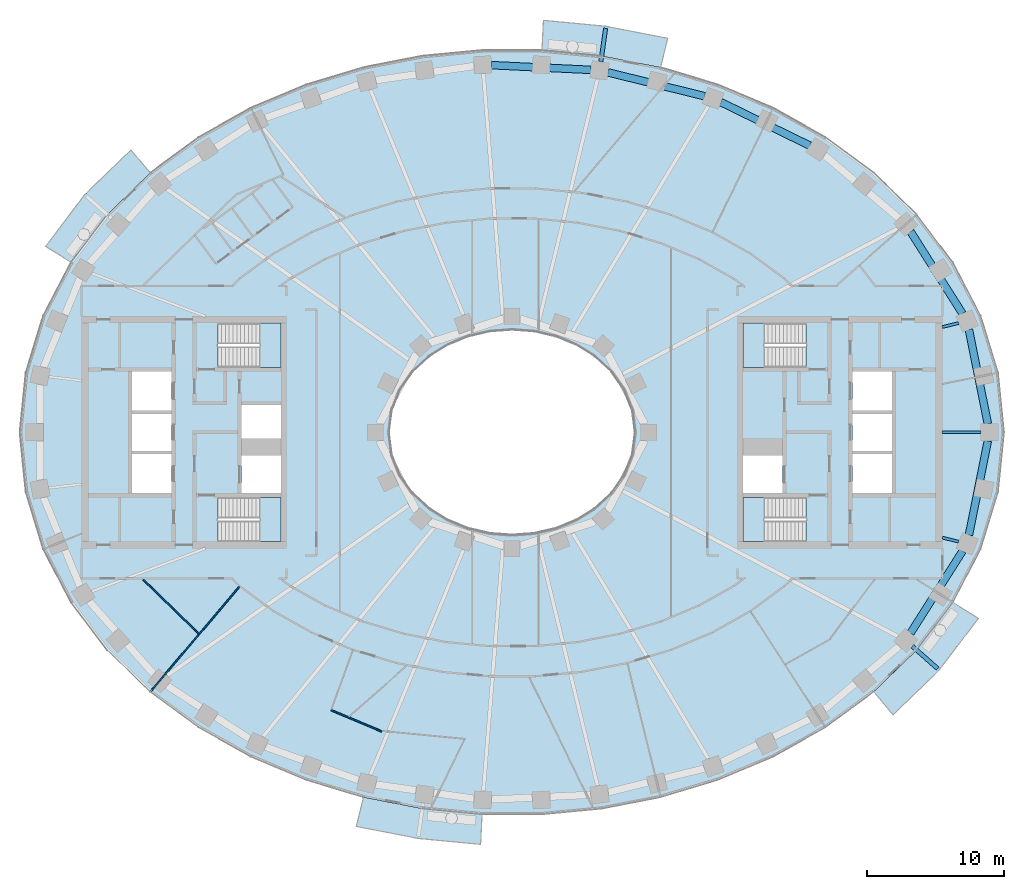
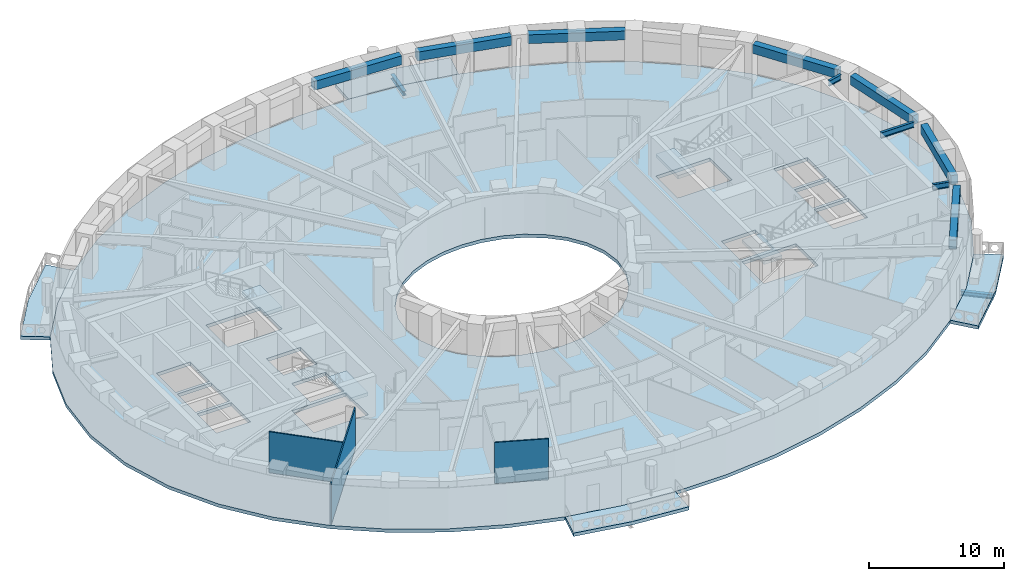
# One storey, part 2 of 17: 12 beams, 9 slabs, 3 walls, 4 elements without a shape of their own.
"""IFC4 building model written with IfcOpenShell, lengths in metres."""

from ifc_helpers import new_model, si_unit, direction, frame, frame_2d, origin, origin_2d, place, context, subcontext, project, spatial, polyline, rectangle, i_section, outline, extrude, material, layer, layer_set, material_profile, profile_set, type_object, element, aggregate, save


model = new_model("IFC4")

# Units and contexts
model_context = context("Model", 3, precision=1e-05, world=origin(), true_north=direction((0.0, 1.0)))
body_context = subcontext(model_context, "Body", "Model", "MODEL_VIEW")
ifc_project = project(units=[si_unit("LENGTHUNIT", "METRE"), si_unit("AREAUNIT", "SQUARE_METRE"), si_unit("VOLUMEUNIT", "CUBIC_METRE"), si_unit("PLANEANGLEUNIT", "RADIAN"), si_unit("MASSUNIT", "GRAM", prefix="KILO")], contexts=[model_context])

# Site, building, storey
site_placement = place(None, origin())
site = spatial("IfcSite", under=ifc_project, at=site_placement, CompositionType="ELEMENT")
building_placement = place(site_placement, origin())
building = spatial("IfcBuilding", under=site, at=building_placement, Name="Noorbagh Ring Tower", CompositionType="ELEMENT")
storey_placement = place(building_placement, frame((0.0, 0.0, 112.0)))
storey = spatial("IfcBuildingStorey", under=building, at=storey_placement, Name="L25", CompositionType="ELEMENT", Elevation=112.0)

# Beams
ifc_material_1 = material(Name="Steel S355", Category="steel")
ifc_material_profile_1 = material_profile(ifc_material_1, i_section(OverallWidth=0.300048828125, OverallDepth=0.39990234375, WebThickness=0.013427734375, FlangeThickness=0.02392578125, FilletRadius=0.027099609375, at=origin_2d()), Name="HEB400")
ifc_profile_set_1 = profile_set([ifc_material_profile_1], Name="Steel S355")
beam_type_1 = type_object("IfcBeamType", Name="STR-BALCONY-BRACKET-HEB400", PredefinedType="BEAM", material=ifc_profile_set_1)
beam_1_placement = place(storey_placement, frame((6.49951171875, 27.1142578125, -0.5), z_axis=(0.14299620794, 0.989723236322, 0.0), x_axis=(-0.989723236322, 0.14299620794, 0.0)))
element("IfcBeam", 1, at=beam_1_placement, inside=storey, type_object=beam_type_1, Name="Balcony bracket beam BN03", PredefinedType="BEAM", context=body_context, shape_type="SweptSolid", body=[
    extrude(i_section(OverallWidth=0.300048828125, OverallDepth=0.39990234375, WebThickness=0.013427734375, FlangeThickness=0.02392578125, FilletRadius=0.027099609375, at=origin_2d()), origin(), (0.0, 0.0, 1.0), 2.473876953125),
])
beam_2_placement = place(storey_placement, frame((29.290771484375, -15.64794921875, -0.5), z_axis=(0.749058582827, -0.662503765645, 0.0), x_axis=(0.662503765645, 0.749058582827, 0.0)))
element("IfcBeam", 2, at=beam_2_placement, inside=storey, type_object=beam_type_1, Name="Balcony bracket beam BS06", PredefinedType="BEAM", context=body_context, shape_type="SweptSolid", body=[
    extrude(i_section(OverallWidth=0.300048828125, OverallDepth=0.39990234375, WebThickness=0.013427734375, FlangeThickness=0.02392578125, FilletRadius=0.027099609375, at=origin_2d()), origin(), (0.0, 0.0, 1.0), 2.479248046875),
])
ifc_material_2 = material(Name="Steel S355", Category="steel")
ifc_material_profile_2 = material_profile(ifc_material_2, i_section(OverallWidth=0.199951171875, OverallDepth=0.5, WebThickness=0.01025390625, FlangeThickness=0.01611328125, FilletRadius=0.02099609375, at=origin_2d()), Name="IPE500")
ifc_profile_set_2 = profile_set([ifc_material_profile_2], Name="Steel S355")
beam_type_2 = type_object("IfcBeamType", Name="STR-RAD-IPE500", PredefinedType="BEAM", material=ifc_profile_set_2)
beam_3_placement = place(storey_placement, frame((34.314697265625, 0.0, 3.449951171875), z_axis=(-1.0, 0.0, 0.0), x_axis=(0.0, -1.0, 0.0)))
element("IfcBeam", 3, at=beam_3_placement, inside=storey, type_object=beam_type_2, Name="L25/bm/RD01", PredefinedType="BEAM", context=body_context, shape_type="SweptSolid", body=[
    extrude(i_section(OverallWidth=0.199951171875, OverallDepth=0.5, WebThickness=0.01025390625, FlangeThickness=0.01611328125, FilletRadius=0.02099609375, at=origin_2d()), origin(), (0.0, 0.0, 1.0), 2.834716796875),
])
for number, where, z_axis, x_axis, name in (
    (4, (32.686279296875, 7.997802734375, 3.449951171875), (-0.971367746696, -0.237580935009, 0.0), (0.237580935009, -0.971367746696, 0.0), "L25/bm/RD03"),
    (5, (32.686279296875, -7.997802734375, 3.449951171875), (-0.971367746696, 0.237580935009, 0.0), (-0.237580935009, -0.971367746696, 0.0), "L25/bm/RD45"),
):
    element("IfcBeam", number, at=place(storey_placement, frame(where, z_axis=z_axis, x_axis=x_axis)), inside=storey, type_object=beam_type_2, Name=name, PredefinedType="BEAM", context=body_context, shape_type="SweptSolid", body=[
        extrude(i_section(OverallWidth=0.199951171875, OverallDepth=0.5, WebThickness=0.01025390625, FlangeThickness=0.01611328125, FilletRadius=0.02099609375, at=origin_2d()), origin(), (0.0, 0.0, 1.0), 1.241455078125),
    ])
ifc_material_3 = material(Name="Concrete C40/50", Category="concrete")
ifc_material_profile_3 = material_profile(ifc_material_3, rectangle(XDim=0.550048828125, YDim=0.800048828125, at=origin_2d()), Name="RC550x800")
ifc_profile_set_3 = profile_set([ifc_material_profile_3], Name="Concrete C40/50")
beam_type_3 = type_object("IfcBeamType", Name="STR-SB-RC550x800-C40-50", PredefinedType="BEAM", material=ifc_profile_set_3)
beam_4_placement = place(storey_placement, frame((34.81787109375, 0.63037109375, 3.300048828125), z_axis=(-0.197218334535, 0.980359591437, 0.0), x_axis=(-0.980359591437, -0.197218334535, 0.0)))
element("IfcBeam", 6, at=beam_4_placement, inside=storey, type_object=beam_type_3, Name="L25/bm/SP01", PredefinedType="BEAM", context=body_context, shape_type="SweptSolid", body=[
    extrude(rectangle(XDim=0.550048828125, YDim=0.800048828125, at=origin_2d()), origin(), (0.0, 0.0, 1.0), 7.027587890625),
])
beam_5_placement = place(storey_placement, frame((32.962646484375, 8.690185546875, 3.300048828125), z_axis=(-0.535215588854, 0.844715498525, 0.0), x_axis=(-0.844715498525, -0.535215588854, 0.0)))
element("IfcBeam", 7, at=beam_5_placement, inside=storey, type_object=beam_type_3, Name="L25/bm/SP03", PredefinedType="BEAM", context=body_context, shape_type="SweptSolid", body=[
    extrude(rectangle(XDim=0.550048828125, YDim=0.800048828125, at=origin_2d()), origin(), (0.0, 0.0, 1.0), 7.104248046875),
])
beam_6_placement = place(storey_placement, frame((21.7919921875, 20.978759765625, 3.300048828125), z_axis=(-0.898412117145, 0.43915335336, 0.0), x_axis=(-0.43915335336, -0.898412117145, 0.0)))
element("IfcBeam", 8, at=beam_6_placement, inside=storey, type_object=beam_type_3, Name="L25/bm/SP07", PredefinedType="BEAM", context=body_context, shape_type="SweptSolid", body=[
    extrude(rectangle(XDim=0.550048828125, YDim=0.800048828125, at=origin_2d()), origin(), (0.0, 0.0, 1.0), 7.249267578125),
])
beam_7_placement = place(storey_placement, frame((14.094482421875, 24.5927734375, 3.300048828125), z_axis=(-0.970826778955, 0.239781911877, 0.0), x_axis=(-0.239781911877, -0.970826778955, 0.0)))
element("IfcBeam", 9, at=beam_7_placement, inside=storey, type_object=beam_type_3, Name="L25/bm/SP09", PredefinedType="BEAM", context=body_context, shape_type="SweptSolid", body=[
    extrude(rectangle(XDim=0.550048828125, YDim=0.800048828125, at=origin_2d()), origin(), (0.0, 0.0, 1.0), 7.282958984375),
])
beam_8_placement = place(storey_placement, frame((5.77685546875, 26.52099609375, 3.300048828125), z_axis=(-0.998868894653, 0.047549251258, 0.0), x_axis=(-0.047549251258, -0.998868894653, 0.0)))
element("IfcBeam", 10, at=beam_8_placement, inside=storey, type_object=beam_type_3, Name="L25/bm/SP11", PredefinedType="BEAM", context=body_context, shape_type="SweptSolid", body=[
    extrude(rectangle(XDim=0.550048828125, YDim=0.800048828125, at=origin_2d()), origin(), (0.0, 0.0, 1.0), 7.296142578125),
])
beam_9_placement = place(storey_placement, frame((29.160400390625, -14.691162109375, 3.300048828125), z_axis=(0.535215588854, 0.844715498525, 0.0), x_axis=(-0.844715498525, 0.535215588854, 0.0)))
element("IfcBeam", 11, at=beam_9_placement, inside=storey, type_object=beam_type_3, Name="L25/bm/SP43", PredefinedType="BEAM", context=body_context, shape_type="SweptSolid", body=[
    extrude(rectangle(XDim=0.550048828125, YDim=0.800048828125, at=origin_2d()), origin(), (0.0, 0.0, 1.0), 7.104248046875),
])
beam_10_placement = place(storey_placement, frame((33.431884765625, -7.52001953125, 3.300048828125), z_axis=(0.197218334535, 0.980359591437, 0.0), x_axis=(-0.980359591437, 0.197218334535, 0.0)))
element("IfcBeam", 12, at=beam_10_placement, inside=storey, type_object=beam_type_3, Name="L25/bm/SP45", PredefinedType="BEAM", context=body_context, shape_type="SweptSolid", body=[
    extrude(rectangle(XDim=0.550048828125, YDim=0.800048828125, at=origin_2d()), origin(), (0.0, 0.0, 1.0), 7.027587890625),
])

# Stair, slab
ifc_material_4 = material(Name="Concrete C40/50", Category="concrete")
stair_type = type_object("IfcStairType", Name="CORE-STAIR", PredefinedType="HALF_TURN_STAIR", material=ifc_material_4)
stair_1_placement = place(storey_placement, origin())
stair_1 = element("IfcStair", 13, at=stair_1_placement, inside=storey, type_object=stair_type, Name="L25 Exit stair ST1", PredefinedType="HALF_TURN_STAIR")
ifc_material_5 = material(Name="Concrete C40/50", Category="concrete")
ifc_layer_1 = layer(ifc_material_5, 0.300048828125)
ifc_layer_set_1 = layer_set([ifc_layer_1], Name="Concrete C40/50")
slab_type_1 = type_object("IfcSlabType", Name="CORE-STAIR-LANDING", PredefinedType="LANDING", material=ifc_layer_set_1)
slab_1_placement = place(storey_placement, frame((0.0, 0.0, 1.699951171875)))
slab_1 = element("IfcSlab", 14, at=slab_1_placement, type_object=slab_type_1, Name="ST1 landing 1", PredefinedType="LANDING", context=body_context, shape_type="SweptSolid", body=[
    extrude(outline(polyline([(-18.449951171875, 4.75), (-16.89990234375, 4.75), (-16.89990234375, 8.0), (-18.449951171875, 8.0), (-18.449951171875, 4.75)])), origin(), (0.0, 0.0, 1.0), 0.300048828125),
])
aggregate(stair_1, [slab_1])

stair_2_placement = place(storey_placement, origin())
stair_2 = element("IfcStair", 15, at=stair_2_placement, inside=storey, type_object=stair_type, Name="L25 Exit stair ST2", PredefinedType="HALF_TURN_STAIR")
slab_2_placement = place(storey_placement, frame((0.0, 0.0, 1.699951171875)))
slab_2 = element("IfcSlab", 16, at=slab_2_placement, type_object=slab_type_1, Name="ST2 landing 1", PredefinedType="LANDING", context=body_context, shape_type="SweptSolid", body=[
    extrude(outline(polyline([(-18.449951171875, -8.0), (-16.89990234375, -8.0), (-16.89990234375, -4.75), (-18.449951171875, -4.75), (-18.449951171875, -8.0)])), origin(), (0.0, 0.0, 1.0), 0.300048828125),
])
aggregate(stair_2, [slab_2])

stair_3_placement = place(storey_placement, origin())
stair_3 = element("IfcStair", 17, at=stair_3_placement, inside=storey, type_object=stair_type, Name="L25 Exit stair ST3", PredefinedType="HALF_TURN_STAIR")
slab_3_placement = place(storey_placement, frame((0.0, 0.0, 1.699951171875)))
slab_3 = element("IfcSlab", 18, at=slab_3_placement, type_object=slab_type_1, Name="ST3 landing 1", PredefinedType="LANDING", context=body_context, shape_type="SweptSolid", body=[
    extrude(outline(polyline([(18.449951171875, 8.0), (16.89990234375, 8.0), (16.89990234375, 4.75), (18.449951171875, 4.75), (18.449951171875, 8.0)])), origin(), (0.0, 0.0, 1.0), 0.300048828125),
])
aggregate(stair_3, [slab_3])

stair_4_placement = place(storey_placement, origin())
stair_4 = element("IfcStair", 19, at=stair_4_placement, inside=storey, type_object=stair_type, Name="L25 Exit stair ST4", PredefinedType="HALF_TURN_STAIR")
slab_4_placement = place(storey_placement, frame((0.0, 0.0, 1.699951171875)))
slab_4 = element("IfcSlab", 20, at=slab_4_placement, type_object=slab_type_1, Name="ST4 landing 1", PredefinedType="LANDING", context=body_context, shape_type="SweptSolid", body=[
    extrude(outline(polyline([(18.449951171875, -4.75), (16.89990234375, -4.75), (16.89990234375, -8.0), (18.449951171875, -8.0), (18.449951171875, -4.75)])), origin(), (0.0, 0.0, 1.0), 0.300048828125),
])
aggregate(stair_4, [slab_4])

# Slabs
ifc_material_6 = material(Name="Concrete C40/50", Category="concrete")
ifc_layer_2 = layer(ifc_material_6, 0.300048828125)
ifc_layer_set_2 = layer_set([ifc_layer_2], Name="Concrete C40/50")
slab_type_2 = type_object("IfcSlabType", Name="ENV-BALCONY DECK 300", PredefinedType="FLOOR", material=ifc_layer_set_2)
slab_5_placement = place(storey_placement, frame((0.0, 0.0, -0.300048828125)))
element("IfcSlab", 21, at=slab_5_placement, inside=storey, type_object=slab_type_2, Name="Tree balcony deck BN03", PredefinedType="FLOOR", context=body_context, shape_type="SweptSolid", body=[
    extrude(outline(polyline([(11.3935546875, 28.832763671875), (6.874755859375, 29.711181640625), (2.2978515625, 30.14794921875), (2.193115234375, 27.947998046875), (6.5595703125, 27.53125), (10.865234375, 26.6943359375), (11.3935546875, 28.832763671875)])), origin(), (0.0, 0.0, 1.0), 0.300048828125),
])
slab_6_placement = place(storey_placement, frame((0.0, 0.0, -0.300048828125)))
element("IfcSlab", 22, at=slab_6_placement, inside=storey, type_object=slab_type_2, Name="Tree balcony deck BN06", PredefinedType="FLOOR", context=body_context, shape_type="SweptSolid", body=[
    extrude(outline(polyline([(-27.888671875, 20.665771484375), (-31.26025390625, 17.389892578125), (-34.120361328125, 13.615966796875), (-32.255126953125, 12.434814453125), (-29.607666015625, 15.92822265625), (-26.463134765625, 18.983154296875), (-27.888671875, 20.665771484375)])), origin(), (0.0, 0.0, 1.0), 0.300048828125),
])
slab_7_placement = place(storey_placement, frame((0.0, 0.0, -0.300048828125)))
element("IfcSlab", 23, at=slab_7_placement, inside=storey, type_object=slab_type_2, Name="Tree balcony deck BS03", PredefinedType="FLOOR", context=body_context, shape_type="SweptSolid", body=[
    extrude(outline(polyline([(-11.3935546875, -28.832763671875), (-6.874755859375, -29.711181640625), (-2.2978515625, -30.14794921875), (-2.193115234375, -27.947998046875), (-6.5595703125, -27.53125), (-10.865234375, -26.6943359375), (-11.3935546875, -28.832763671875)])), origin(), (0.0, 0.0, 1.0), 0.300048828125),
])
slab_8_placement = place(storey_placement, frame((0.0, 0.0, -0.300048828125)))
element("IfcSlab", 24, at=slab_8_placement, inside=storey, type_object=slab_type_2, Name="Tree balcony deck BS06", PredefinedType="FLOOR", context=body_context, shape_type="SweptSolid", body=[
    extrude(outline(polyline([(27.888671875, -20.665771484375), (31.26025390625, -17.389892578125), (34.120361328125, -13.615966796875), (32.255126953125, -12.434814453125), (29.607666015625, -15.92822265625), (26.463134765625, -18.983154296875), (27.888671875, -20.665771484375)])), origin(), (0.0, 0.0, 1.0), 0.300048828125),
])
ifc_material_7 = material(Name="Concrete C40/50", Category="concrete")
ifc_layer_3 = layer(ifc_material_7, 0.300048828125)
ifc_layer_set_3 = layer_set([ifc_layer_3], Name="Concrete C40/50")
slab_type_3 = type_object("IfcSlabType", Name="STR-FLOOR-DECK-300", PredefinedType="FLOOR", material=ifc_layer_set_3)
slab_9_placement = place(storey_placement, frame((0.0, 0.0, -0.300048828125)))
element("IfcSlab", 25, at=slab_9_placement, inside=storey, type_object=slab_type_3, Name="L25/slab/1", PredefinedType="FLOOR", context=body_context, shape_type="SweptSolid", body=[
    extrude(outline(polyline([(36.0, 0.0), (35.56103515625, 4.358642578125), (34.281005859375, 8.548828125), (32.255126953125, 12.434814453125), (29.607666015625, 15.92822265625), (26.463134765625, 18.983154296875), (22.9326171875, 21.583740234375), (19.108154296875, 23.730224609375), (15.0654296875, 25.430419921875), (10.865234375, 26.6943359375), (6.5595703125, 27.53125), (2.193115234375, 27.947998046875), (-2.193115234375, 27.947998046875), (-6.5595703125, 27.53125), (-10.865234375, 26.6943359375), (-15.0654296875, 25.430419921875), (-19.108154296875, 23.730224609375), (-22.9326171875, 21.583740234375), (-26.463134765625, 18.983154296875), (-29.607666015625, 15.92822265625), (-32.255126953125, 12.434814453125), (-34.281005859375, 8.548828125), (-35.56103515625, 4.358642578125), (-36.0, 0.0), (-35.56103515625, -4.358642578125), (-34.281005859375, -8.548828125), (-32.255126953125, -12.434814453125), (-29.607666015625, -15.92822265625), (-26.463134765625, -18.983154296875), (-22.9326171875, -21.583740234375), (-19.108154296875, -23.730224609375), (-15.0654296875, -25.430419921875), (-10.865234375, -26.6943359375), (-6.5595703125, -27.53125), (-2.193115234375, -27.947998046875), (2.193115234375, -27.947998046875), (6.5595703125, -27.53125), (10.865234375, -26.6943359375), (15.0654296875, -25.430419921875), (19.108154296875, -23.730224609375), (22.9326171875, -21.583740234375), (26.463134765625, -18.983154296875), (29.607666015625, -15.92822265625), (32.255126953125, -12.434814453125), (34.281005859375, -8.548828125), (35.56103515625, -4.358642578125), (36.0, 0.0)]), holes=[polyline([(24.89990234375, -1.60009765625), (27.800048828125, -1.60009765625), (27.800048828125, -4.449951171875), (24.89990234375, -4.449951171875), (24.89990234375, -1.60009765625)]), polyline([(24.89990234375, 1.35009765625), (27.800048828125, 1.35009765625), (27.800048828125, -1.35009765625), (24.89990234375, -1.35009765625), (24.89990234375, 1.35009765625)]), polyline([(24.89990234375, 4.449951171875), (27.800048828125, 4.449951171875), (27.800048828125, 1.60009765625), (24.89990234375, 1.60009765625), (24.89990234375, 4.449951171875)]), polyline([(21.529541015625, -4.75), (21.529541015625, -8.0), (16.89990234375, -8.0), (16.89990234375, -4.75), (21.529541015625, -4.75)]), polyline([(21.529541015625, 4.75), (16.89990234375, 4.75), (16.89990234375, 8.0), (21.529541015625, 8.0), (21.529541015625, 4.75)]), polyline([(16.89990234375, -1.699951171875), (19.800048828125, -1.699951171875), (19.800048828125, -4.449951171875), (16.89990234375, -4.449951171875), (16.89990234375, -1.699951171875)]), polyline([(4.697509765625, -6.3974609375), (3.196533203125, -7.010986328125), (1.6171875, -7.3779296875), (0.0, -7.5), (-1.6171875, -7.3779296875), (-3.196533203125, -7.010986328125), (-4.697509765625, -6.3974609375), (-6.071044921875, -5.53662109375), (-7.2587890625, -4.43408203125), (-8.1904296875, -3.10888671875), (-8.79150390625, -1.605224609375), (-9.0, 0.0), (-8.79150390625, 1.605224609375), (-8.1904296875, 3.10888671875), (-7.2587890625, 4.43408203125), (-6.071044921875, 5.53662109375), (-4.697509765625, 6.3974609375), (-3.196533203125, 7.010986328125), (-1.6171875, 7.3779296875), (0.0, 7.5), (1.6171875, 7.3779296875), (3.196533203125, 7.010986328125), (4.697509765625, 6.3974609375), (6.071044921875, 5.53662109375), (7.2587890625, 4.43408203125), (8.1904296875, 3.10888671875), (8.79150390625, 1.605224609375), (9.0, 0.0), (8.79150390625, -1.605224609375), (8.1904296875, -3.10888671875), (7.2587890625, -4.43408203125), (6.071044921875, -5.53662109375), (4.697509765625, -6.3974609375)]), polyline([(-21.529541015625, -8.0), (-21.529541015625, -4.75), (-16.89990234375, -4.75), (-16.89990234375, -8.0), (-21.529541015625, -8.0)]), polyline([(-21.529541015625, 8.0), (-16.89990234375, 8.0), (-16.89990234375, 4.75), (-21.529541015625, 4.75), (-21.529541015625, 8.0)]), polyline([(-16.89990234375, -4.449951171875), (-19.800048828125, -4.449951171875), (-19.800048828125, -1.699951171875), (-16.89990234375, -1.699951171875), (-16.89990234375, -4.449951171875)]), polyline([(-16.89990234375, -0.449951171875), (-19.800048828125, -0.449951171875), (-19.800048828125, 2.0), (-16.89990234375, 2.0), (-16.89990234375, -0.449951171875)]), polyline([(-24.89990234375, -4.449951171875), (-27.800048828125, -4.449951171875), (-27.800048828125, -1.60009765625), (-24.89990234375, -1.60009765625), (-24.89990234375, -4.449951171875)]), polyline([(-24.89990234375, -1.35009765625), (-27.800048828125, -1.35009765625), (-27.800048828125, 1.35009765625), (-24.89990234375, 1.35009765625), (-24.89990234375, -1.35009765625)]), polyline([(-24.89990234375, 1.60009765625), (-27.800048828125, 1.60009765625), (-27.800048828125, 4.449951171875), (-24.89990234375, 4.449951171875), (-24.89990234375, 1.60009765625)])]), origin(), (0.0, 0.0, 1.0), 0.300048828125),
])

# Walls
ifc_material_8 = material(Name="Gypsum board on steel studs", Category="steel")
ifc_layer_4 = layer(ifc_material_8, 0.10009765625)
ifc_layer_set_4 = layer_set([ifc_layer_4], Name="Gypsum board on steel studs")
wall_type = type_object("IfcWallType", Name="PARTITION 100 GYPSUM", PredefinedType="PARTITIONING", material=ifc_layer_set_4)
wall_1_placement = place(storey_placement, frame((-26.965087890625, -10.778076171875, 0.0), z_axis=(0.0, 0.0, 1.0), x_axis=(0.715118482903, -0.699003258512, 0.0)))
element("IfcWall", 26, at=wall_1_placement, inside=storey, type_object=wall_type, Name="L25/wall/P06", PredefinedType="PARTITIONING", context=body_context, shape_type="SweptSolid", body=[
    extrude(rectangle(XDim=5.65087890625, YDim=0.10009765625, at=frame_2d((2.825439453125, 0.0))), origin(), (0.0, 0.0, 1.0), 3.699951171875),
])
wall_2_placement = place(storey_placement, frame((-26.429931640625, -18.945068359375, 0.0), z_axis=(0.0, 0.0, 1.0), x_axis=(0.64633128205, 0.763056927, 0.0)))
element("IfcWall", 27, at=wall_2_placement, inside=storey, type_object=wall_type, Name="L25/wall/P08", PredefinedType="PARTITIONING", context=body_context, shape_type="SweptSolid", body=[
    extrude(rectangle(XDim=10.06884765625, YDim=0.10009765625, at=frame_2d((5.034423828125, 0.0))), origin(), (0.0, 0.0, 1.0), 3.699951171875),
])
wall_3_placement = place(storey_placement, frame((-13.22998046875, -20.326904296875, 0.0), z_axis=(0.0, 0.0, 1.0), x_axis=(0.921068797825, -0.389399884017, 0.0)))
element("IfcWall", 28, at=wall_3_placement, inside=storey, type_object=wall_type, Name="L25/wall/P42", PredefinedType="PARTITIONING", context=body_context, shape_type="SweptSolid", body=[
    extrude(rectangle(XDim=4.013916015625, YDim=0.10009765625, at=frame_2d((2.0068359375, 0.0))), origin(), (0.0, 0.0, 1.0), 3.699951171875),
])

save(model, "model.ifc")
